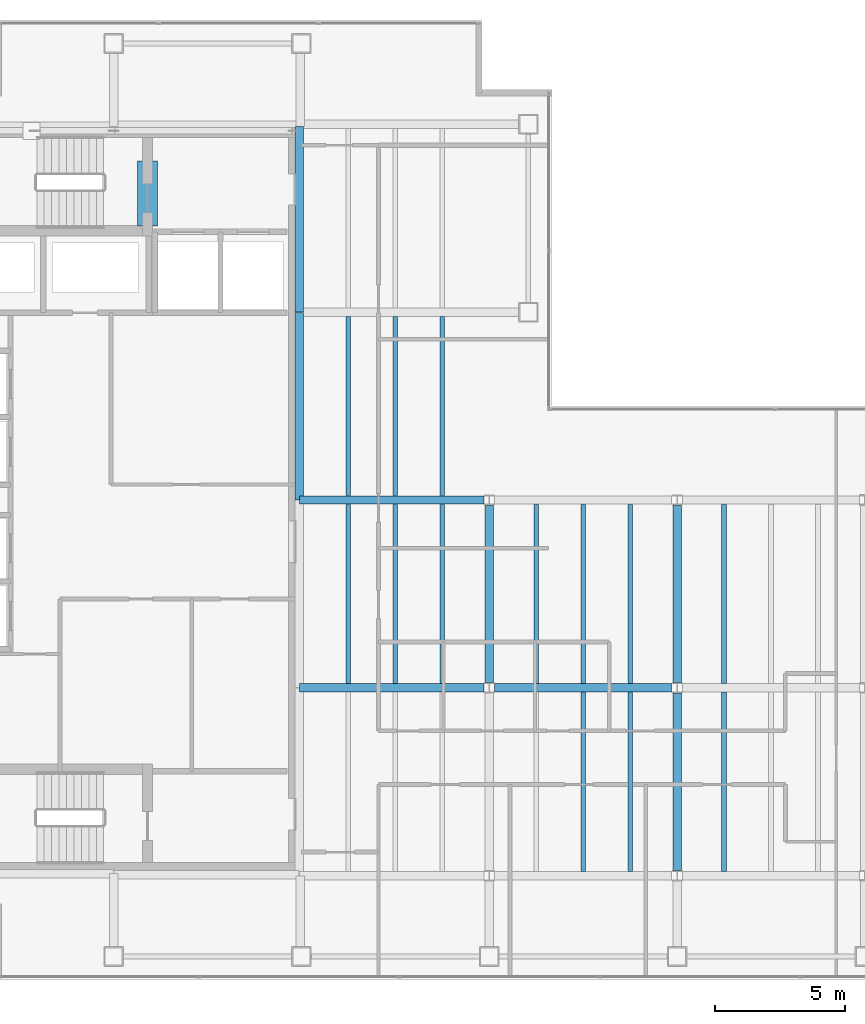
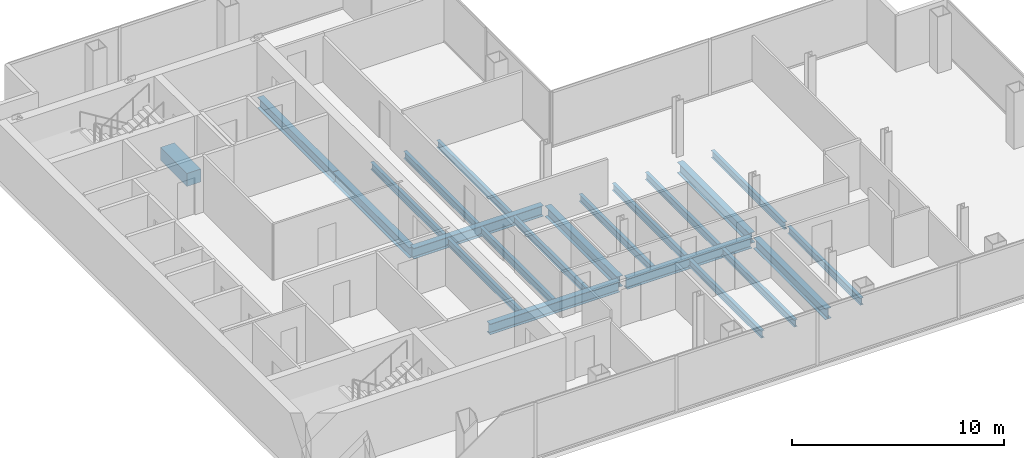
# One storey, part 7 of 23: 22 beams.
"""IFC4 building model written with IfcOpenShell, lengths in metres."""

from ifc_helpers import new_model, si_unit, direction, frame, origin, origin_2d, place, context, subcontext, project, spatial, rectangle, i_section, extrude, material, material_profile, profile_set, type_object, element, save


model = new_model("IFC4")

# Units and contexts
model_context = context("Model", 3, precision=1e-05, world=origin(), true_north=direction((0.0, 1.0)))
body_context = subcontext(model_context, "Body", "Model", "MODEL_VIEW")
ifc_project = project(units=[si_unit("LENGTHUNIT", "METRE"), si_unit("AREAUNIT", "SQUARE_METRE"), si_unit("VOLUMEUNIT", "CUBIC_METRE"), si_unit("PLANEANGLEUNIT", "RADIAN"), si_unit("MASSUNIT", "GRAM", prefix="KILO")], contexts=[model_context])

# Site, building, storey
site_placement = place(None, origin())
site = spatial("IfcSite", under=ifc_project, at=site_placement, CompositionType="ELEMENT")
building_placement = place(site_placement, origin())
building = spatial("IfcBuilding", under=site, at=building_placement, Name="Cobrela Telecom Tower", CompositionType="ELEMENT")
storey_placement = place(building_placement, frame((0.0, 0.0, 222.25)))
storey = spatial("IfcBuildingStorey", under=building, at=storey_placement, Name="L57", CompositionType="ELEMENT", Elevation=222.25)

# Beams
ifc_material_1 = material(Name="Concrete C40/50", Category="concrete")
ifc_material_profile_1 = material_profile(ifc_material_1, rectangle(XDim=0.75, YDim=0.75, at=origin_2d()), Name="RC 750x750")
ifc_profile_set_1 = profile_set([ifc_material_profile_1], Name="Concrete C40/50")
beam_type_1 = type_object("IfcBeamType", Name="BM-COUP-RC", PredefinedType="LINTEL", material=ifc_profile_set_1)
beam_1_placement = place(storey_placement, frame((8.5, 32.10009765625, -0.610107421875), z_axis=(0.0, 1.0, 0.0), x_axis=(-1.0, 0.0, 0.0)))
element("IfcBeam", 1, at=beam_1_placement, inside=storey, type_object=beam_type_1, Name="L57 Core Coupling Lintel Beam", PredefinedType="LINTEL", context=body_context, shape_type="SweptSolid", body=[
    extrude(rectangle(XDim=0.75, YDim=0.75, at=origin_2d()), origin(), (0.0, 0.0, 1.0), 2.5),
])
ifc_material_2 = material(Name="Steel ASTM A992 Grade 50", Category="steel")
ifc_material_profile_2 = material_profile(ifc_material_2, i_section(OverallWidth=0.324951171875, OverallDepth=0.612060546875, WebThickness=0.0126953125, FlangeThickness=0.01904296875, FilletRadius=0.014892578125, at=origin_2d()), Name="W24X104")
ifc_profile_set_2 = profile_set([ifc_material_profile_2], Name="Steel ASTM A992 Grade 50")
beam_type_2 = type_object("IfcBeamType", Name="BM-GIRD-07", PredefinedType="USERDEFINED", material=ifc_profile_set_2)
beam_2_placement = place(storey_placement, frame((14.324951171875, 14.39990234375, -0.56591796875), z_axis=(1.0, 0.0, 0.0), x_axis=(0.0, 1.0, 0.0)))
element("IfcBeam", 2, at=beam_2_placement, inside=storey, type_object=beam_type_2, Name="L57 Primary Girder X11", ObjectType="GIRDER", PredefinedType="USERDEFINED", context=body_context, shape_type="SweptSolid", body=[
    extrude(i_section(OverallWidth=0.324951171875, OverallDepth=0.612060546875, WebThickness=0.0126953125, FlangeThickness=0.01904296875, FilletRadius=0.014892578125, at=origin_2d()), origin(), (0.0, 0.0, 1.0), 7.070556640625),
])
beam_3_placement = place(storey_placement, frame((21.804443359375, 14.39990234375, -0.56591796875), z_axis=(1.0, 0.0, 0.0), x_axis=(0.0, 1.0, 0.0)))
element("IfcBeam", 3, at=beam_3_placement, inside=storey, type_object=beam_type_2, Name="L57 Primary Girder X12", ObjectType="GIRDER", PredefinedType="USERDEFINED", context=body_context, shape_type="SweptSolid", body=[
    extrude(i_section(OverallWidth=0.324951171875, OverallDepth=0.612060546875, WebThickness=0.0126953125, FlangeThickness=0.01904296875, FilletRadius=0.014892578125, at=origin_2d()), origin(), (0.0, 0.0, 1.0), 6.791015625),
])
beam_4_placement = place(storey_placement, frame((14.324951171875, 21.60009765625, -0.56591796875), z_axis=(1.0, 0.0, 0.0), x_axis=(0.0, 1.0, 0.0)))
element("IfcBeam", 4, at=beam_4_placement, inside=storey, type_object=beam_type_2, Name="L57 Primary Girder X15", ObjectType="GIRDER", PredefinedType="USERDEFINED", context=body_context, shape_type="SweptSolid", body=[
    extrude(i_section(OverallWidth=0.324951171875, OverallDepth=0.612060546875, WebThickness=0.0126953125, FlangeThickness=0.01904296875, FilletRadius=0.014892578125, at=origin_2d()), origin(), (0.0, 0.0, 1.0), 7.070556640625),
])
beam_5_placement = place(storey_placement, frame((14.320068359375, 21.60498046875, -0.56591796875), z_axis=(0.0, 1.0, 0.0), x_axis=(-1.0, 0.0, 0.0)))
element("IfcBeam", 5, at=beam_5_placement, inside=storey, type_object=beam_type_2, Name="L57 Primary Girder Y29", ObjectType="GIRDER", PredefinedType="USERDEFINED", context=body_context, shape_type="SweptSolid", body=[
    extrude(i_section(OverallWidth=0.324951171875, OverallDepth=0.612060546875, WebThickness=0.0126953125, FlangeThickness=0.01904296875, FilletRadius=0.014892578125, at=origin_2d()), origin(), (0.0, 0.0, 1.0), 7.18994140625),
])
beam_6_placement = place(storey_placement, frame((14.320068359375, 28.804931640625, -0.56591796875), z_axis=(0.0, 1.0, 0.0), x_axis=(-1.0, 0.0, 0.0)))
element("IfcBeam", 6, at=beam_6_placement, inside=storey, type_object=beam_type_2, Name="L57 Primary Girder Y30", ObjectType="GIRDER", PredefinedType="USERDEFINED", context=body_context, shape_type="SweptSolid", body=[
    extrude(i_section(OverallWidth=0.324951171875, OverallDepth=0.612060546875, WebThickness=0.0126953125, FlangeThickness=0.01904296875, FilletRadius=0.014892578125, at=origin_2d()), origin(), (0.0, 0.0, 1.0), 7.110107421875),
])
for number, where, z_axis, x_axis, name in (
    (7, (21.60009765625, 14.6044921875, -0.56591796875), (0.0, 1.0, 0.0), (-1.0, 0.0, 0.0), "L57 Primary Girder Y34"),
    (8, (28.800048828125, 7.404541015625, -0.56591796875), (0.0, 1.0, 0.0), (-1.0, 0.0, 0.0), "L57 Primary Girder Y37"),
    (9, (28.800048828125, 14.6044921875, -0.56591796875), (0.0, 1.0, 0.0), (-1.0, 0.0, 0.0), "L57 Primary Girder Y38"),
):
    element("IfcBeam", number, at=place(storey_placement, frame(where, z_axis=z_axis, x_axis=x_axis)), inside=storey, type_object=beam_type_2, Name=name, ObjectType="GIRDER", PredefinedType="USERDEFINED", context=body_context, shape_type="SweptSolid", body=[
        extrude(i_section(OverallWidth=0.324951171875, OverallDepth=0.612060546875, WebThickness=0.0126953125, FlangeThickness=0.01904296875, FilletRadius=0.014892578125, at=origin_2d()), origin(), (0.0, 0.0, 1.0), 6.791015625),
    ])
ifc_material_profile_3 = material_profile(ifc_material_2, i_section(OverallWidth=0.179931640625, OverallDepth=0.4169921875, WebThickness=0.010986328125, FlangeThickness=0.01806640625, FilletRadius=0.011962890625, at=origin_2d()), Name="W16X57")
ifc_profile_set_3 = profile_set([ifc_material_profile_3], Name="Steel ASTM A992 Grade 50")
beam_type_3 = type_object("IfcBeamType", Name="BM-JOIST-04", PredefinedType="JOIST", material=ifc_profile_set_3)
beam_7_placement = place(storey_placement, frame((16.199951171875, 14.5673828125, -0.468505859375), z_axis=(0.0, 1.0, 0.0), x_axis=(-1.0, 0.0, 0.0)))
element("IfcBeam", 10, at=beam_7_placement, inside=storey, type_object=beam_type_3, Name="L57 Secondary Composite Floor Beam J02", PredefinedType="JOIST", context=body_context, shape_type="SweptSolid", body=[
    extrude(i_section(OverallWidth=0.179931640625, OverallDepth=0.4169921875, WebThickness=0.010986328125, FlangeThickness=0.01806640625, FilletRadius=0.011962890625, at=origin_2d()), origin(), (0.0, 0.0, 1.0), 6.865234375),
])
beam_8_placement = place(storey_placement, frame((16.199951171875, 21.767578125, -0.468505859375), z_axis=(0.0, 1.0, 0.0), x_axis=(-1.0, 0.0, 0.0)))
element("IfcBeam", 11, at=beam_8_placement, inside=storey, type_object=beam_type_3, Name="L57 Secondary Composite Floor Beam J03", PredefinedType="JOIST", context=body_context, shape_type="SweptSolid", body=[
    extrude(i_section(OverallWidth=0.179931640625, OverallDepth=0.4169921875, WebThickness=0.010986328125, FlangeThickness=0.01806640625, FilletRadius=0.011962890625, at=origin_2d()), origin(), (0.0, 0.0, 1.0), 6.864990234375),
])
beam_9_placement = place(storey_placement, frame((18.0, 14.5673828125, -0.468505859375), z_axis=(0.0, 1.0, 0.0), x_axis=(-1.0, 0.0, 0.0)))
element("IfcBeam", 12, at=beam_9_placement, inside=storey, type_object=beam_type_3, Name="L57 Secondary Composite Floor Beam J06", PredefinedType="JOIST", context=body_context, shape_type="SweptSolid", body=[
    extrude(i_section(OverallWidth=0.179931640625, OverallDepth=0.4169921875, WebThickness=0.010986328125, FlangeThickness=0.01806640625, FilletRadius=0.011962890625, at=origin_2d()), origin(), (0.0, 0.0, 1.0), 6.865234375),
])
beam_10_placement = place(storey_placement, frame((18.0, 21.767578125, -0.468505859375), z_axis=(0.0, 1.0, 0.0), x_axis=(-1.0, 0.0, 0.0)))
element("IfcBeam", 13, at=beam_10_placement, inside=storey, type_object=beam_type_3, Name="L57 Secondary Composite Floor Beam J07", PredefinedType="JOIST", context=body_context, shape_type="SweptSolid", body=[
    extrude(i_section(OverallWidth=0.179931640625, OverallDepth=0.4169921875, WebThickness=0.010986328125, FlangeThickness=0.01806640625, FilletRadius=0.011962890625, at=origin_2d()), origin(), (0.0, 0.0, 1.0), 6.864990234375),
])
beam_11_placement = place(storey_placement, frame((19.800048828125, 14.5673828125, -0.468505859375), z_axis=(0.0, 1.0, 0.0), x_axis=(-1.0, 0.0, 0.0)))
element("IfcBeam", 14, at=beam_11_placement, inside=storey, type_object=beam_type_3, Name="L57 Secondary Composite Floor Beam J10", PredefinedType="JOIST", context=body_context, shape_type="SweptSolid", body=[
    extrude(i_section(OverallWidth=0.179931640625, OverallDepth=0.4169921875, WebThickness=0.010986328125, FlangeThickness=0.01806640625, FilletRadius=0.011962890625, at=origin_2d()), origin(), (0.0, 0.0, 1.0), 6.865234375),
])
beam_12_placement = place(storey_placement, frame((19.800048828125, 21.767578125, -0.468505859375), z_axis=(0.0, 1.0, 0.0), x_axis=(-1.0, 0.0, 0.0)))
element("IfcBeam", 15, at=beam_12_placement, inside=storey, type_object=beam_type_3, Name="L57 Secondary Composite Floor Beam J11", PredefinedType="JOIST", context=body_context, shape_type="SweptSolid", body=[
    extrude(i_section(OverallWidth=0.179931640625, OverallDepth=0.4169921875, WebThickness=0.010986328125, FlangeThickness=0.01806640625, FilletRadius=0.011962890625, at=origin_2d()), origin(), (0.0, 0.0, 1.0), 6.864990234375),
])
beam_13_placement = place(storey_placement, frame((23.39990234375, 14.5673828125, -0.468505859375), z_axis=(0.0, 1.0, 0.0), x_axis=(-1.0, 0.0, 0.0)))
element("IfcBeam", 16, at=beam_13_placement, inside=storey, type_object=beam_type_3, Name="L57 Secondary Composite Floor Beam J14", PredefinedType="JOIST", context=body_context, shape_type="SweptSolid", body=[
    extrude(i_section(OverallWidth=0.179931640625, OverallDepth=0.4169921875, WebThickness=0.010986328125, FlangeThickness=0.01806640625, FilletRadius=0.011962890625, at=origin_2d()), origin(), (0.0, 0.0, 1.0), 6.865234375),
])
beam_14_placement = place(storey_placement, frame((25.199951171875, 7.367431640625, -0.468505859375), z_axis=(0.0, 1.0, 0.0), x_axis=(-1.0, 0.0, 0.0)))
element("IfcBeam", 17, at=beam_14_placement, inside=storey, type_object=beam_type_3, Name="L57 Secondary Composite Floor Beam J15", PredefinedType="JOIST", context=body_context, shape_type="SweptSolid", body=[
    extrude(i_section(OverallWidth=0.179931640625, OverallDepth=0.4169921875, WebThickness=0.010986328125, FlangeThickness=0.01806640625, FilletRadius=0.011962890625, at=origin_2d()), origin(), (0.0, 0.0, 1.0), 6.864990234375),
])
beam_15_placement = place(storey_placement, frame((25.199951171875, 14.5673828125, -0.468505859375), z_axis=(0.0, 1.0, 0.0), x_axis=(-1.0, 0.0, 0.0)))
element("IfcBeam", 18, at=beam_15_placement, inside=storey, type_object=beam_type_3, Name="L57 Secondary Composite Floor Beam J16", PredefinedType="JOIST", context=body_context, shape_type="SweptSolid", body=[
    extrude(i_section(OverallWidth=0.179931640625, OverallDepth=0.4169921875, WebThickness=0.010986328125, FlangeThickness=0.01806640625, FilletRadius=0.011962890625, at=origin_2d()), origin(), (0.0, 0.0, 1.0), 6.865234375),
])
beam_16_placement = place(storey_placement, frame((27.0, 7.367431640625, -0.468505859375), z_axis=(0.0, 1.0, 0.0), x_axis=(-1.0, 0.0, 0.0)))
element("IfcBeam", 19, at=beam_16_placement, inside=storey, type_object=beam_type_3, Name="L57 Secondary Composite Floor Beam J17", PredefinedType="JOIST", context=body_context, shape_type="SweptSolid", body=[
    extrude(i_section(OverallWidth=0.179931640625, OverallDepth=0.4169921875, WebThickness=0.010986328125, FlangeThickness=0.01806640625, FilletRadius=0.011962890625, at=origin_2d()), origin(), (0.0, 0.0, 1.0), 6.864990234375),
])
beam_17_placement = place(storey_placement, frame((27.0, 14.5673828125, -0.468505859375), z_axis=(0.0, 1.0, 0.0), x_axis=(-1.0, 0.0, 0.0)))
element("IfcBeam", 20, at=beam_17_placement, inside=storey, type_object=beam_type_3, Name="L57 Secondary Composite Floor Beam J18", PredefinedType="JOIST", context=body_context, shape_type="SweptSolid", body=[
    extrude(i_section(OverallWidth=0.179931640625, OverallDepth=0.4169921875, WebThickness=0.010986328125, FlangeThickness=0.01806640625, FilletRadius=0.011962890625, at=origin_2d()), origin(), (0.0, 0.0, 1.0), 6.865234375),
])
beam_18_placement = place(storey_placement, frame((30.60009765625, 7.367431640625, -0.468505859375), z_axis=(0.0, 1.0, 0.0), x_axis=(-1.0, 0.0, 0.0)))
element("IfcBeam", 21, at=beam_18_placement, inside=storey, type_object=beam_type_3, Name="L57 Secondary Composite Floor Beam J19", PredefinedType="JOIST", context=body_context, shape_type="SweptSolid", body=[
    extrude(i_section(OverallWidth=0.179931640625, OverallDepth=0.4169921875, WebThickness=0.010986328125, FlangeThickness=0.01806640625, FilletRadius=0.011962890625, at=origin_2d()), origin(), (0.0, 0.0, 1.0), 6.864990234375),
])
beam_19_placement = place(storey_placement, frame((30.60009765625, 14.5673828125, -0.468505859375), z_axis=(0.0, 1.0, 0.0), x_axis=(-1.0, 0.0, 0.0)))
element("IfcBeam", 22, at=beam_19_placement, inside=storey, type_object=beam_type_3, Name="L57 Secondary Composite Floor Beam J20", PredefinedType="JOIST", context=body_context, shape_type="SweptSolid", body=[
    extrude(i_section(OverallWidth=0.179931640625, OverallDepth=0.4169921875, WebThickness=0.010986328125, FlangeThickness=0.01806640625, FilletRadius=0.011962890625, at=origin_2d()), origin(), (0.0, 0.0, 1.0), 6.865234375),
])

save(model, "model.ifc")
